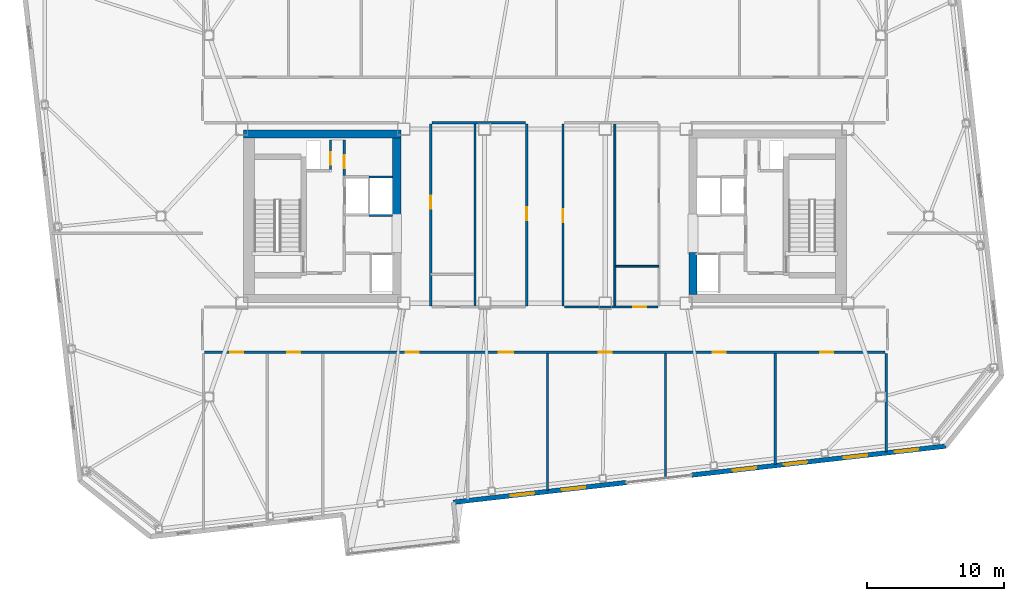
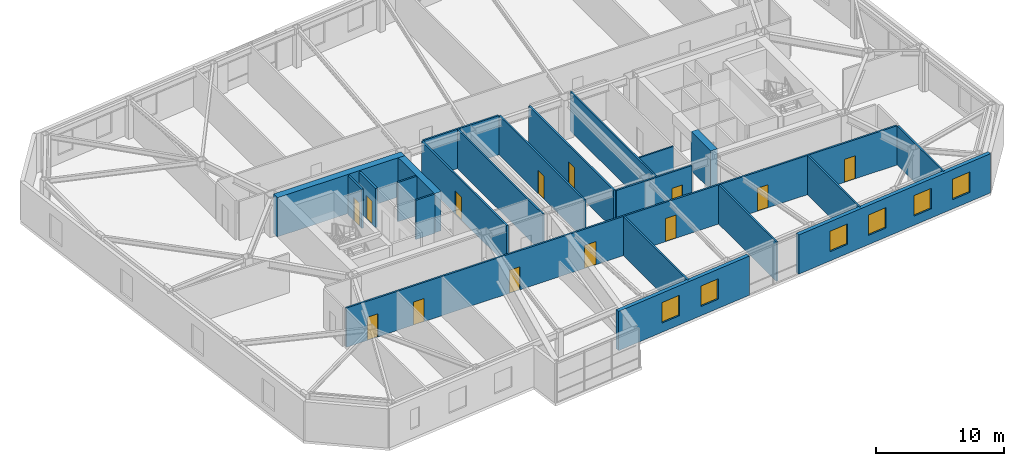
# One storey, part 14 of 19: 22 walls, 13 doors, 6 windows, 19 openings.
"""IFC4 building model written with IfcOpenShell, lengths in metres."""

import ifcopenshell
import ifcopenshell.guid

model = None  # the IFC model being written
_history = None  # IfcOwnerHistory: only IFC2X3 demands one
_inside = {}  # id of a spatial element -> (the spatial element, [elements in it])
_under = {}  # id of a project, library or spatial element -> (it, [spatial elements below it])
_declared = {}  # id of a project -> (the project, [libraries it declares])
_typed = {}  # id of a type object -> (the type object, [elements of that type])
_made_of = {}  # id of a material, layer set ... -> (it, [elements and type objects made of it])


def new_model(schema):
    """Start an empty IFC model of exactly this schema.

    Asked for "IFC4X3", IfcOpenShell would pick the latest addendum, in which some entities
    have other attributes; the version numbers below select the first issue.
    IFC2X3 requires an IfcOwnerHistory on every rooted entity: one is made here for all.
    """
    global model, _history
    if schema == "IFC4X3":
        model = ifcopenshell.file(schema_version=(4, 3, 0, 0))
    else:
        model = ifcopenshell.file(schema=schema)
    _inside.clear()
    _under.clear()
    _declared.clear()
    _typed.clear()
    _made_of.clear()
    _history = None
    if model.schema == "IFC2X3":
        org = make("IfcOrganization", Name="unknown")
        user = make(
            "IfcPersonAndOrganization",
            ThePerson=make("IfcPerson", FamilyName="unknown"),
            TheOrganization=org,
        )
        app = make(
            "IfcApplication",
            ApplicationDeveloper=org,
            Version="unknown",
            ApplicationFullName="unknown",
            ApplicationIdentifier="unknown",
        )
        _history = make(
            "IfcOwnerHistory",
            OwningUser=user,
            OwningApplication=app,
            ChangeAction="ADDED",
            CreationDate=0,
        )
    return model


def make(cls, **values):
    """One entity of the class cls with the attributes given. An attribute that is None is left unset."""
    return model.create_entity(
        cls, **{name: value for name, value in values.items() if value is not None}
    )


def rooted(cls, **values):
    """An entity with a GlobalId (a new one), such as an element, a storey or a relation."""
    return make(cls, GlobalId=ifcopenshell.guid.new(), OwnerHistory=_history, **values)


def si_unit(unit_type, name, prefix=None):
    """IfcSIUnit, for example si_unit("LENGTHUNIT", "METRE", prefix="MILLI")."""
    return make("IfcSIUnit", UnitType=unit_type, Prefix=prefix, Name=name)


def assignment(units):
    """IfcUnitAssignment: the units of a project."""
    return None if units is None else make("IfcUnitAssignment", Units=units)


def point(xyz):
    """IfcCartesianPoint."""
    return None if xyz is None else make("IfcCartesianPoint", Coordinates=xyz)


def direction(xyz):
    """IfcDirection."""
    return None if xyz is None else make("IfcDirection", DirectionRatios=xyz)


def frame(location, z_axis=None, x_axis=None):
    """IfcAxis2Placement3D, a coordinate frame: its origin and axes. An axis left out is left unset."""
    return make(
        "IfcAxis2Placement3D",
        Location=point(location),
        Axis=direction(z_axis),
        RefDirection=direction(x_axis),
    )


def frame_2d(location, x_axis=None):
    """IfcAxis2Placement2D, a coordinate frame in the plane: its origin and x axis."""
    return make(
        "IfcAxis2Placement2D", Location=point(location), RefDirection=direction(x_axis)
    )


def origin():
    """The frame at (0, 0, 0) with its axes left unset."""
    return frame((0.0, 0.0, 0.0))


def place(relative_to, where):
    """IfcLocalPlacement: puts the frame where relative to a parent placement (None: the world)."""
    return make(
        "IfcLocalPlacement", PlacementRelTo=relative_to, RelativePlacement=where
    )


def context(
    kind, dimensions, precision=None, world=None, true_north=None, identifier=None
):
    """IfcGeometricRepresentationContext, for example the 3D "Model" context."""
    return make(
        "IfcGeometricRepresentationContext",
        ContextIdentifier=identifier,
        ContextType=kind,
        CoordinateSpaceDimension=dimensions,
        Precision=precision,
        WorldCoordinateSystem=world,
        TrueNorth=true_north,
    )


def subcontext(parent, identifier, kind, view, scale=None):
    """IfcGeometricRepresentationSubContext, for example "Body" below "Model"."""
    return make(
        "IfcGeometricRepresentationSubContext",
        ContextIdentifier=identifier,
        ContextType=kind,
        ParentContext=parent,
        TargetScale=scale,
        TargetView=view,
    )


def project(units=None, contexts=None):
    """IfcProject with its units and contexts."""
    return rooted(
        "IfcProject",
        Name="project",
        RepresentationContexts=contexts,
        UnitsInContext=assignment(units),
    )


def spatial(cls, under=None, at=None, **own):
    """A site, building, storey or space (cls), placed at a placement, below another one or the project."""
    s = rooted(cls, ObjectPlacement=at, **own)
    if under is not None:
        _under.setdefault(under.id(), (under, []))[1].append(s)
    return s


def profile(cls, at=None, kind="AREA", **sizes):
    """A parametric profile (cls). Its sizes go by their IFC names, for example OverallWidth=200.0."""
    return make(cls, ProfileType=kind, Position=at, **sizes)


def rectangle(**sizes):
    """IfcRectangleProfileDef."""
    return profile("IfcRectangleProfileDef", **sizes)


def extrude(swept, where, along, depth):
    """IfcExtrudedAreaSolid: the profile swept, set in the frame where, extruded along a direction by depth."""
    return make(
        "IfcExtrudedAreaSolid",
        SweptArea=swept,
        Position=where,
        ExtrudedDirection=direction(along),
        Depth=depth,
    )


def shape(context_of_items, identifier, shape_type, items):
    """IfcShapeRepresentation: the items that make up one representation, for example the "Body"."""
    return make(
        "IfcShapeRepresentation",
        ContextOfItems=context_of_items,
        RepresentationIdentifier=identifier,
        RepresentationType=shape_type,
        Items=items,
    )


def material(Name=None, Category=None):
    """IfcMaterial."""
    return make("IfcMaterial", Name=Name, Category=Category)


def layer(
    of_material, thickness, ventilated=None, Name=None, Category=None, Priority=None
):
    """IfcMaterialLayer: one layer of a wall or slab, of a material (None: an air gap)."""
    return make(
        "IfcMaterialLayer",
        Material=of_material,
        LayerThickness=thickness,
        IsVentilated=ventilated,
        Name=Name,
        Category=Category,
        Priority=Priority,
    )


def layer_set(layers, Name=None):
    """IfcMaterialLayerSet."""
    return make("IfcMaterialLayerSet", MaterialLayers=layers, LayerSetName=Name)


def made_of(thing, what):
    """Note that an element or type object is made of a material, layer set ...; save() writes the relation."""
    if what is not None:
        _made_of.setdefault(what.id(), (what, []))[1].append(thing)
    return thing


def type_object(cls, material=None, **own):
    """A type object (cls), such as IfcWallType, which elements share."""
    return made_of(rooted(cls, **own), material)


def element(
    cls,
    number,
    at=None,
    inside=None,
    cuts=None,
    type_object=None,
    material=None,
    context=None,
    identifier="Body",
    shape_type=None,
    held_by="IfcProductDefinitionShape",
    body=None,
    shapes=None,
    **own,
):
    """One element of the class cls, such as IfcWall. Its Tag is "e" and its number.

    at: its placement. inside: the storey or other place that contains it. cuts: it is an
    opening in that element (IfcRelVoidsElement). A single representation is given by context,
    identifier, shape_type and body (its items); several are given by shapes. held_by: the class
    of the entity that holds the representations. save() writes the other relations.
    """
    e = rooted(cls, Tag="e%d" % number, ObjectPlacement=at, **own)
    if body is not None:
        shapes = [shape(context, identifier, shape_type, body)]
    if shapes is not None:
        e.Representation = make(held_by, Representations=shapes)
    if inside is not None:
        _inside.setdefault(inside.id(), (inside, []))[1].append(e)
    if cuts is not None:
        rooted(
            "IfcRelVoidsElement", RelatingBuildingElement=cuts, RelatedOpeningElement=e
        )
    if type_object is not None:
        _typed.setdefault(type_object.id(), (type_object, []))[1].append(e)
    return made_of(e, material)


def fill(opening, filler):
    """IfcRelFillsElement: the door or window that sits in an opening."""
    return rooted(
        "IfcRelFillsElement",
        RelatingOpeningElement=opening,
        RelatedBuildingElement=filler,
    )


def aggregate(whole, parts):
    """IfcRelAggregates: a whole, such as a stair, and the parts it consists of."""
    return rooted("IfcRelAggregates", RelatingObject=whole, RelatedObjects=parts)


def save(model, path):
    """Write the relations noted so far, then the file.

    IfcRelAggregates (storeys below a building ...), IfcRelContainedInSpatialStructure (elements
    in a storey), IfcRelDefinesByType, IfcRelAssociatesMaterial and IfcRelDeclares: one each for
    every whole, place, type object, material and project.
    """
    for whole, parts in _under.values():
        aggregate(whole, parts)
    for where, things in _inside.values():
        rooted(
            "IfcRelContainedInSpatialStructure",
            RelatedElements=things,
            RelatingStructure=where,
        )
    for kind, things in _typed.values():
        rooted("IfcRelDefinesByType", RelatedObjects=things, RelatingType=kind)
    for what, things in _made_of.values():
        rooted("IfcRelAssociatesMaterial", RelatedObjects=things, RelatingMaterial=what)
    for by, libraries in _declared.values():
        rooted("IfcRelDeclares", RelatingContext=by, RelatedDefinitions=libraries)
    model.write(path)


model = new_model("IFC4")

# Units and contexts
model_context = context("Model", 3, precision=1e-05, world=origin(), true_north=direction((0.0, 1.0)))
body_context = subcontext(model_context, "Body", "Model", "MODEL_VIEW")
ifc_project = project(units=[si_unit("LENGTHUNIT", "METRE"), si_unit("AREAUNIT", "SQUARE_METRE"), si_unit("VOLUMEUNIT", "CUBIC_METRE"), si_unit("PLANEANGLEUNIT", "RADIAN"), si_unit("MASSUNIT", "GRAM", prefix="KILO")], contexts=[model_context])

# Site, building, storey
site_placement = place(None, origin())
site = spatial("IfcSite", under=ifc_project, at=site_placement, CompositionType="ELEMENT")
building_placement = place(site_placement, origin())
building = spatial("IfcBuilding", under=site, at=building_placement, Name="Tavrogorsk Clinical Tower", CompositionType="ELEMENT")
storey_placement = place(building_placement, frame((0.0, 0.0, 218.199951171875)))
storey = spatial("IfcBuildingStorey", under=building, at=storey_placement, Name="L50", CompositionType="ELEMENT", Elevation=218.199951171875)

# Wall, opening, door
ifc_material_1 = material(Name="Concrete B60", Category="concrete")
ifc_layer_1 = layer(ifc_material_1, 0.199951171875)
ifc_layer_set_1 = layer_set([ifc_layer_1], Name="Concrete B60")
wall_type_1 = type_object("IfcWallType", Name="CoreFireWall_200", PredefinedType="SOLIDWALL", material=ifc_layer_set_1)
wall_1_placement = place(storey_placement, frame((-14.639892578125, 2.9599609375, 0.0), z_axis=(0.0, 0.0, 1.0), x_axis=(0.0, 1.0, 0.0)))
wall_1 = element("IfcWall", 1, at=wall_1_placement, inside=storey, type_object=wall_type_1, Name="L50 Core West North Core Room East Wall", PredefinedType="SOLIDWALL", context=body_context, shape_type="SweptSolid", body=[
    extrude(rectangle(XDim=2.60009765625, YDim=0.199951171875, at=frame_2d((1.300048828125, 0.0))), origin(), (0.0, 0.0, 1.0), 3.739990234375),
])
opening_1_placement = place(wall_1_placement, frame((0.52001953125, 0.0, 0.0)))
opening_1 = element("IfcOpeningElement", 2, at=opening_1_placement, cuts=wall_1, Name="Opening ID-02", PredefinedType="OPENING", context=body_context, shape_type="SweptSolid", body=[
    extrude(rectangle(XDim=0.949951171875, YDim=2.199951171875, at=frame_2d((0.47509765625, 1.10009765625))), frame((0.0, 0.10986328125, 0.0), z_axis=(0.0, -1.0, 0.0), x_axis=(1.0, 0.0, 0.0)), (0.0, 0.0, 1.0), 0.219970703125),
])
ifc_material_2 = material(Name="Laminated timber leaf on aluminium frame", Category="wood")
door_type_1 = type_object("IfcDoorType", Name="InteriorDoor_ID02_950", OperationType="NOTDEFINED", PredefinedType="DOOR", material=ifc_material_2)
door_1_placement = place(opening_1_placement, origin())
door_1 = element("IfcDoor", 3, at=door_1_placement, inside=storey, type_object=door_type_1, Name="L50 Core West Core Telemetry Room Door", OperationType="SINGLE_SWING_LEFT", OverallHeight=2.199951171875, OverallWidth=0.949951171875, PredefinedType="DOOR", context=body_context, shape_type="SweptSolid", body=[
    extrude(rectangle(XDim=0.949951171875, YDim=2.199951171875, at=frame_2d((0.47509765625, 1.10009765625))), frame((0.0, 0.02490234375, 0.0), z_axis=(0.0, -1.0, 0.0), x_axis=(1.0, 0.0, 0.0)), (0.0, 0.0, 1.0), 0.050048828125),
])
fill(opening_1, door_1)

# Walls
ifc_material_3 = material(Name="Lightweight concrete blockwork B15", Category="masonry")
ifc_layer_2 = layer(ifc_material_3, 0.139892578125)
ifc_layer_set_2 = layer_set([ifc_layer_2], Name="Lightweight concrete blockwork B15")
wall_type_2 = type_object("IfcWallType", Name="PartitionWall_140", PredefinedType="PARTITIONING", material=ifc_layer_set_2)
for number, where, z_axis, x_axis, name in (
    (4, (-5.10009765625, -6.614990234375, 0.0), (0.0, 0.0, 1.0), (0.0, 1.0, 0.0), "L50 Central Spine Partition 1"),
    (5, (5.10009765625, -6.614990234375, 0.0), (0.0, 0.0, 1.0), (0.0, 1.0, 0.0), "L50 Central Spine Partition 2"),
):
    element("IfcWall", number, at=place(storey_placement, frame(where, z_axis=z_axis, x_axis=x_axis)), inside=storey, type_object=wall_type_2, Name=name, PredefinedType="PARTITIONING", context=body_context, shape_type="SweptSolid", body=[
        extrude(rectangle(XDim=13.429931640625, YDim=0.139892578125, at=frame_2d((6.71484375, 0.0))), origin(), (0.0, 0.0, 1.0), 3.739990234375),
    ])
wall_2_placement = place(storey_placement, frame((5.175048828125, -3.64990234375, 0.0), z_axis=(0.0, 0.0, 1.0), x_axis=(1.0, 0.0, 0.0)))
element("IfcWall", 6, at=wall_2_placement, inside=storey, type_object=wall_type_2, Name="L50 Central Spine Partition 4", PredefinedType="PARTITIONING", context=body_context, shape_type="SweptSolid", body=[
    extrude(rectangle(XDim=3.139892578125, YDim=0.139892578125, at=frame_2d((1.56982421875, 0.0))), origin(), (0.0, 0.0, 1.0), 3.739990234375),
])

# Wall, openings, doors
ifc_material_4 = material(Name="Lightweight concrete blockwork B15", Category="masonry")
ifc_layer_3 = layer(ifc_material_4, 0.159912109375)
ifc_layer_set_3 = layer_set([ifc_layer_3], Name="Lightweight concrete blockwork B15")
wall_type_3 = type_object("IfcWallType", Name="PartitionWall_160", PredefinedType="PARTITIONING", material=ifc_layer_set_3)
wall_3_placement = place(storey_placement, frame((24.81494140625, -9.929931640625, 0.0), z_axis=(0.0, 0.0, 1.0), x_axis=(-1.0, 0.0, 0.0)))
wall_3 = element("IfcWall", 7, at=wall_3_placement, inside=storey, type_object=wall_type_3, Name="L50 Corridor Partition 10", PredefinedType="PARTITIONING", context=body_context, shape_type="SweptSolid", body=[
    extrude(rectangle(XDim=49.6298828125, YDim=0.159912109375, at=frame_2d((24.81494140625, 0.0))), origin(), (0.0, 0.0, 1.0), 3.739990234375),
])
opening_2_placement = place(wall_3_placement, frame((46.805908203125, 0.0, 0.0)))
opening_2 = element("IfcOpeningElement", 8, at=opening_2_placement, cuts=wall_3, Name="Opening ID-02", PredefinedType="OPENING", context=body_context, shape_type="SweptSolid", body=[
    extrude(rectangle(XDim=0.949951171875, YDim=2.199951171875, at=frame_2d((0.47509765625, 1.10009765625))), frame((0.0, 0.08984375, 0.0), z_axis=(0.0, -1.0, 0.0), x_axis=(1.0, 0.0, 0.0)), (0.0, 0.0, 1.0), 0.179931640625),
])
opening_3_placement = place(wall_3_placement, frame((42.64990234375, 0.0, 0.0)))
opening_3 = element("IfcOpeningElement", 9, at=opening_3_placement, cuts=wall_3, Name="Opening ID-02", PredefinedType="OPENING", context=body_context, shape_type="SweptSolid", body=[
    extrude(rectangle(XDim=0.949951171875, YDim=2.199951171875, at=frame_2d((0.47509765625, 1.10009765625))), frame((0.0, 0.08984375, 0.0), z_axis=(0.0, -1.0, 0.0), x_axis=(1.0, 0.0, 0.0)), (0.0, 0.0, 1.0), 0.179931640625),
])
opening_4_placement = place(wall_3_placement, frame((34.02001953125, 0.0, 0.0)))
opening_4 = element("IfcOpeningElement", 10, at=opening_4_placement, cuts=wall_3, Name="Opening ID-02", PredefinedType="OPENING", context=body_context, shape_type="SweptSolid", body=[
    extrude(rectangle(XDim=0.949951171875, YDim=2.199951171875, at=frame_2d((0.47509765625, 1.10009765625))), frame((0.0, 0.08984375, 0.0), z_axis=(0.0, -1.0, 0.0), x_axis=(1.0, 0.0, 0.0)), (0.0, 0.0, 1.0), 0.179931640625),
])
opening_5_placement = place(wall_3_placement, frame((27.139892578125, 0.0, 0.0)))
opening_5 = element("IfcOpeningElement", 11, at=opening_5_placement, cuts=wall_3, Name="Opening ID-04", PredefinedType="OPENING", context=body_context, shape_type="SweptSolid", body=[
    extrude(rectangle(XDim=1.050048828125, YDim=2.199951171875, at=frame_2d((0.52490234375, 1.10009765625))), frame((0.0, 0.08984375, 0.0), z_axis=(0.0, -1.0, 0.0), x_axis=(1.0, 0.0, 0.0)), (0.0, 0.0, 1.0), 0.179931640625),
])
opening_6_placement = place(wall_3_placement, frame((19.925048828125, 0.0, 0.0)))
opening_6 = element("IfcOpeningElement", 12, at=opening_6_placement, cuts=wall_3, Name="Opening ID-02", PredefinedType="OPENING", context=body_context, shape_type="SweptSolid", body=[
    extrude(rectangle(XDim=0.949951171875, YDim=2.199951171875, at=frame_2d((0.47509765625, 1.10009765625))), frame((0.0, 0.08984375, 0.0), z_axis=(0.0, -1.0, 0.0), x_axis=(1.0, 0.0, 0.0)), (0.0, 0.0, 1.0), 0.179931640625),
])
opening_7_placement = place(wall_3_placement, frame((11.625, 0.0, 0.0)))
opening_7 = element("IfcOpeningElement", 13, at=opening_7_placement, cuts=wall_3, Name="Opening ID-02", PredefinedType="OPENING", context=body_context, shape_type="SweptSolid", body=[
    extrude(rectangle(XDim=0.949951171875, YDim=2.199951171875, at=frame_2d((0.47509765625, 1.10009765625))), frame((0.0, 0.08984375, 0.0), z_axis=(0.0, -1.0, 0.0), x_axis=(1.0, 0.0, 0.0)), (0.0, 0.0, 1.0), 0.179931640625),
])
opening_8_placement = place(wall_3_placement, frame((3.76904296875, 0.0, 0.0)))
opening_8 = element("IfcOpeningElement", 14, at=opening_8_placement, cuts=wall_3, Name="Opening ID-02", PredefinedType="OPENING", context=body_context, shape_type="SweptSolid", body=[
    extrude(rectangle(XDim=0.949951171875, YDim=2.199951171875, at=frame_2d((0.47509765625, 1.10009765625))), frame((0.0, 0.08984375, 0.0), z_axis=(0.0, -1.0, 0.0), x_axis=(1.0, 0.0, 0.0)), (0.0, 0.0, 1.0), 0.179931640625),
])
ifc_material_5 = material(Name="Antibacterial HPL consultation door on aluminium frame", Category="aluminium")
door_type_2 = type_object("IfcDoorType", Name="ConsultDoor_ID04_1050", OperationType="NOTDEFINED", PredefinedType="DOOR", material=ifc_material_5)
door_2_placement = place(opening_5_placement, origin())
door_2 = element("IfcDoor", 15, at=door_2_placement, inside=storey, type_object=door_type_2, Name="L50 South Nephrology Consultation Office 04 Door", OperationType="SINGLE_SWING_RIGHT", OverallHeight=2.199951171875, OverallWidth=1.050048828125, PredefinedType="DOOR", context=body_context, shape_type="SweptSolid", body=[
    extrude(rectangle(XDim=1.050048828125, YDim=2.199951171875, at=frame_2d((0.52490234375, 1.10009765625))), frame((0.0, 0.02490234375, 0.0), z_axis=(0.0, -1.0, 0.0), x_axis=(1.0, 0.0, 0.0)), (0.0, 0.0, 1.0), 0.050048828125),
])
fill(opening_5, door_2)
door_3_placement = place(opening_2_placement, origin())
door_3 = element("IfcDoor", 16, at=door_3_placement, inside=storey, type_object=door_type_1, Name="L50 South Dialysis Dialysate Storage Room 01 Door", OperationType="SINGLE_SWING_LEFT", OverallHeight=2.199951171875, OverallWidth=0.949951171875, PredefinedType="DOOR", context=body_context, shape_type="SweptSolid", body=[
    extrude(rectangle(XDim=0.949951171875, YDim=2.199951171875, at=frame_2d((0.47509765625, 1.10009765625))), frame((0.0, 0.02490234375, 0.0), z_axis=(0.0, -1.0, 0.0), x_axis=(1.0, 0.0, 0.0)), (0.0, 0.0, 1.0), 0.050048828125),
])
fill(opening_2, door_3)
door_4_placement = place(opening_3_placement, origin())
door_4 = element("IfcDoor", 17, at=door_4_placement, inside=storey, type_object=door_type_1, Name="L50 South Nephrology Consultation Office 02 Door", OperationType="SINGLE_SWING_RIGHT", OverallHeight=2.199951171875, OverallWidth=0.949951171875, PredefinedType="DOOR", context=body_context, shape_type="SweptSolid", body=[
    extrude(rectangle(XDim=0.949951171875, YDim=2.199951171875, at=frame_2d((0.47509765625, 1.10009765625))), frame((0.0, 0.02490234375, 0.0), z_axis=(0.0, -1.0, 0.0), x_axis=(1.0, 0.0, 0.0)), (0.0, 0.0, 1.0), 0.050048828125),
])
fill(opening_3, door_4)
door_5_placement = place(opening_4_placement, origin())
door_5 = element("IfcDoor", 18, at=door_5_placement, inside=storey, type_object=door_type_1, Name="L50 South Dialysis Dialysate Storage Room 03 Door", OperationType="SINGLE_SWING_LEFT", OverallHeight=2.199951171875, OverallWidth=0.949951171875, PredefinedType="DOOR", context=body_context, shape_type="SweptSolid", body=[
    extrude(rectangle(XDim=0.949951171875, YDim=2.199951171875, at=frame_2d((0.47509765625, 1.10009765625))), frame((0.0, 0.02490234375, 0.0), z_axis=(0.0, -1.0, 0.0), x_axis=(1.0, 0.0, 0.0)), (0.0, 0.0, 1.0), 0.050048828125),
])
fill(opening_4, door_5)
door_6_placement = place(opening_6_placement, origin())
door_6 = element("IfcDoor", 19, at=door_6_placement, inside=storey, type_object=door_type_1, Name="L50 South Dialysis Dialysate Storage Room 05 Door", OperationType="SINGLE_SWING_LEFT", OverallHeight=2.199951171875, OverallWidth=0.949951171875, PredefinedType="DOOR", context=body_context, shape_type="SweptSolid", body=[
    extrude(rectangle(XDim=0.949951171875, YDim=2.199951171875, at=frame_2d((0.47509765625, 1.10009765625))), frame((0.0, 0.02490234375, 0.0), z_axis=(0.0, -1.0, 0.0), x_axis=(1.0, 0.0, 0.0)), (0.0, 0.0, 1.0), 0.050048828125),
])
fill(opening_6, door_6)
door_7_placement = place(opening_7_placement, origin())
door_7 = element("IfcDoor", 20, at=door_7_placement, inside=storey, type_object=door_type_1, Name="L50 South Nephrology Consultation Office 06 Door", OperationType="SINGLE_SWING_RIGHT", OverallHeight=2.199951171875, OverallWidth=0.949951171875, PredefinedType="DOOR", context=body_context, shape_type="SweptSolid", body=[
    extrude(rectangle(XDim=0.949951171875, YDim=2.199951171875, at=frame_2d((0.47509765625, 1.10009765625))), frame((0.0, 0.02490234375, 0.0), z_axis=(0.0, -1.0, 0.0), x_axis=(1.0, 0.0, 0.0)), (0.0, 0.0, 1.0), 0.050048828125),
])
fill(opening_7, door_7)
door_8_placement = place(opening_8_placement, origin())
door_8 = element("IfcDoor", 21, at=door_8_placement, inside=storey, type_object=door_type_1, Name="L50 South Dialysis Dialysate Storage Room 07 Door", OperationType="SINGLE_SWING_LEFT", OverallHeight=2.199951171875, OverallWidth=0.949951171875, PredefinedType="DOOR", context=body_context, shape_type="SweptSolid", body=[
    extrude(rectangle(XDim=0.949951171875, YDim=2.199951171875, at=frame_2d((0.47509765625, 1.10009765625))), frame((0.0, 0.02490234375, 0.0), z_axis=(0.0, -1.0, 0.0), x_axis=(1.0, 0.0, 0.0)), (0.0, 0.0, 1.0), 0.050048828125),
])
fill(opening_8, door_8)

# Wall, opening, door
wall_4_placement = place(storey_placement, frame((1.330078125, 6.735107421875, 0.0), z_axis=(0.0, 0.0, 1.0), x_axis=(0.0, -1.0, 0.0)))
wall_4 = element("IfcWall", 22, at=wall_4_placement, inside=storey, type_object=wall_type_3, Name="L50 Corridor Partition 12", PredefinedType="PARTITIONING", context=body_context, shape_type="SweptSolid", body=[
    extrude(rectangle(XDim=13.27001953125, YDim=0.159912109375, at=frame_2d((6.635009765625, 0.0))), origin(), (0.0, 0.0, 1.0), 3.739990234375),
])
opening_9_placement = place(wall_4_placement, frame((6.2451171875, 0.0, 0.0)))
opening_9 = element("IfcOpeningElement", 23, at=opening_9_placement, cuts=wall_4, Name="Opening ID-02", PredefinedType="OPENING", context=body_context, shape_type="SweptSolid", body=[
    extrude(rectangle(XDim=0.949951171875, YDim=2.199951171875, at=frame_2d((0.47509765625, 1.10009765625))), frame((0.0, 0.08984375, 0.0), z_axis=(0.0, -1.0, 0.0), x_axis=(1.0, 0.0, 0.0)), (0.0, 0.0, 1.0), 0.179931640625),
])
door_9_placement = place(opening_9_placement, origin())
door_9 = element("IfcDoor", 24, at=door_9_placement, inside=storey, type_object=door_type_1, Name="L50 Clean Medication Preparation Room Door", OperationType="SINGLE_SWING_LEFT", OverallHeight=2.199951171875, OverallWidth=0.949951171875, PredefinedType="DOOR", context=body_context, shape_type="SweptSolid", body=[
    extrude(rectangle(XDim=0.949951171875, YDim=2.199951171875, at=frame_2d((0.47509765625, 1.10009765625))), frame((0.0, 0.02490234375, 0.0), z_axis=(0.0, -1.0, 0.0), x_axis=(1.0, 0.0, 0.0)), (0.0, 0.0, 1.0), 0.050048828125),
])
fill(opening_9, door_9)

wall_5_placement = place(storey_placement, frame((1.4150390625, -6.6201171875, 0.0), z_axis=(0.0, 0.0, 1.0), x_axis=(1.0, 0.0, 0.0)))
wall_5 = element("IfcWall", 25, at=wall_5_placement, inside=storey, type_object=wall_type_3, Name="L50 Corridor Partition 13", PredefinedType="PARTITIONING", context=body_context, shape_type="SweptSolid", body=[
    extrude(rectangle(XDim=6.820068359375, YDim=0.159912109375, at=frame_2d((3.41015625, 0.0))), origin(), (0.0, 0.0, 1.0), 3.739990234375),
])
opening_10_placement = place(wall_5_placement, frame((5.010986328125, 0.0, 0.0)))
opening_10 = element("IfcOpeningElement", 26, at=opening_10_placement, cuts=wall_5, Name="Opening ID-02", PredefinedType="OPENING", context=body_context, shape_type="SweptSolid", body=[
    extrude(rectangle(XDim=0.949951171875, YDim=2.199951171875, at=frame_2d((0.47509765625, 1.10009765625))), frame((0.0, 0.08984375, 0.0), z_axis=(0.0, -1.0, 0.0), x_axis=(1.0, 0.0, 0.0)), (0.0, 0.0, 1.0), 0.179931640625),
])
door_10_placement = place(opening_10_placement, origin())
door_10 = element("IfcDoor", 27, at=door_10_placement, inside=storey, type_object=door_type_1, Name="L50 Staff & Visitor Accessible WC Door", OperationType="SINGLE_SWING_RIGHT", OverallHeight=2.199951171875, OverallWidth=0.949951171875, PredefinedType="DOOR", context=body_context, shape_type="SweptSolid", body=[
    extrude(rectangle(XDim=0.949951171875, YDim=2.199951171875, at=frame_2d((0.47509765625, 1.10009765625))), frame((0.0, 0.02490234375, 0.0), z_axis=(0.0, -1.0, 0.0), x_axis=(1.0, 0.0, 0.0)), (0.0, 0.0, 1.0), 0.050048828125),
])
fill(opening_10, door_10)

wall_6_placement = place(storey_placement, frame((-1.330078125, -6.534912109375, 0.0), z_axis=(0.0, 0.0, 1.0), x_axis=(0.0, 1.0, 0.0)))
wall_6 = element("IfcWall", 28, at=wall_6_placement, inside=storey, type_object=wall_type_3, Name="L50 Corridor Partition 15", PredefinedType="PARTITIONING", context=body_context, shape_type="SweptSolid", body=[
    extrude(rectangle(XDim=13.27001953125, YDim=0.159912109375, at=frame_2d((6.635009765625, 0.0))), origin(), (0.0, 0.0, 1.0), 3.739990234375),
])
opening_11_placement = place(wall_6_placement, frame((6.2451171875, 0.0, 0.0)))
opening_11 = element("IfcOpeningElement", 29, at=opening_11_placement, cuts=wall_6, Name="Opening ID-02", PredefinedType="OPENING", context=body_context, shape_type="SweptSolid", body=[
    extrude(rectangle(XDim=0.949951171875, YDim=2.199951171875, at=frame_2d((0.47509765625, 1.10009765625))), frame((0.0, 0.08984375, 0.0), z_axis=(0.0, -1.0, 0.0), x_axis=(1.0, 0.0, 0.0)), (0.0, 0.0, 1.0), 0.179931640625),
])
door_11_placement = place(opening_11_placement, origin())
door_11 = element("IfcDoor", 30, at=door_11_placement, inside=storey, type_object=door_type_1, Name="L50 Nurses' Station & Telemetry Hub Door", OperationType="SINGLE_SWING_RIGHT", OverallHeight=2.199951171875, OverallWidth=0.949951171875, PredefinedType="DOOR", context=body_context, shape_type="SweptSolid", body=[
    extrude(rectangle(XDim=0.949951171875, YDim=2.199951171875, at=frame_2d((0.47509765625, 1.10009765625))), frame((0.0, 0.02490234375, 0.0), z_axis=(0.0, -1.0, 0.0), x_axis=(1.0, 0.0, 0.0)), (0.0, 0.0, 1.0), 0.050048828125),
])
fill(opening_11, door_11)

# Wall
wall_7_placement = place(storey_placement, frame((-1.4150390625, 6.820068359375, 0.0), z_axis=(0.0, 0.0, 1.0), x_axis=(-1.0, 0.0, 0.0)))
element("IfcWall", 31, at=wall_7_placement, inside=storey, type_object=wall_type_3, Name="L50 Corridor Partition 16", PredefinedType="PARTITIONING", context=body_context, shape_type="SweptSolid", body=[
    extrude(rectangle(XDim=6.820068359375, YDim=0.159912109375, at=frame_2d((3.41015625, 0.0))), origin(), (0.0, 0.0, 1.0), 3.739990234375),
])

# Wall, opening, door
wall_8_placement = place(storey_placement, frame((-8.320068359375, 6.735107421875, 0.0), z_axis=(0.0, 0.0, 1.0), x_axis=(0.0, -1.0, 0.0)))
wall_8 = element("IfcWall", 32, at=wall_8_placement, inside=storey, type_object=wall_type_3, Name="L50 Corridor Partition 17", PredefinedType="PARTITIONING", context=body_context, shape_type="SweptSolid", body=[
    extrude(rectangle(XDim=13.27001953125, YDim=0.159912109375, at=frame_2d((6.635009765625, 0.0))), origin(), (0.0, 0.0, 1.0), 3.739990234375),
])
opening_12_placement = place(wall_8_placement, frame((5.254150390625, 0.0, 0.0)))
opening_12 = element("IfcOpeningElement", 33, at=opening_12_placement, cuts=wall_8, Name="Opening ID-02", PredefinedType="OPENING", context=body_context, shape_type="SweptSolid", body=[
    extrude(rectangle(XDim=0.949951171875, YDim=2.199951171875, at=frame_2d((0.47509765625, 1.10009765625))), frame((0.0, 0.08984375, 0.0), z_axis=(0.0, -1.0, 0.0), x_axis=(1.0, 0.0, 0.0)), (0.0, 0.0, 1.0), 0.179931640625),
])
door_12_placement = place(opening_12_placement, origin())
door_12 = element("IfcDoor", 34, at=door_12_placement, inside=storey, type_object=door_type_1, Name="L50 Ward Nourishment Pantry Door", OperationType="SINGLE_SWING_LEFT", OverallHeight=2.199951171875, OverallWidth=0.949951171875, PredefinedType="DOOR", context=body_context, shape_type="SweptSolid", body=[
    extrude(rectangle(XDim=0.949951171875, YDim=2.199951171875, at=frame_2d((0.47509765625, 1.10009765625))), frame((0.0, 0.02490234375, 0.0), z_axis=(0.0, -1.0, 0.0), x_axis=(1.0, 0.0, 0.0)), (0.0, 0.0, 1.0), 0.050048828125),
])
fill(opening_12, door_12)

# Walls
wall_9_placement = place(storey_placement, frame((24.89990234375, -17.199462890625, 0.0), z_axis=(0.0, 0.0, 1.0), x_axis=(0.0, 1.0, 0.0)))
element("IfcWall", 35, at=wall_9_placement, inside=storey, type_object=wall_type_3, Name="L50 SE Wing Closure Partition", PredefinedType="PARTITIONING", context=body_context, shape_type="SweptSolid", body=[
    extrude(rectangle(XDim=7.1845703125, YDim=0.159912109375, at=frame_2d((3.59228515625, 0.0))), origin(), (0.0, 0.0, 1.0), 3.739990234375),
])
wall_10_placement = place(storey_placement, frame((0.199951171875, -20.013671875, 0.0), z_axis=(0.0, 0.0, 1.0), x_axis=(0.0, 1.0, 0.0)))
element("IfcWall", 36, at=wall_10_placement, inside=storey, type_object=wall_type_3, Name="L50 South Room Partition 4", PredefinedType="PARTITIONING", context=body_context, shape_type="SweptSolid", body=[
    extrude(rectangle(XDim=9.998779296875, YDim=0.159912109375, at=frame_2d((4.99951171875, 0.0))), origin(), (0.0, 0.0, 1.0), 3.739990234375),
])
wall_11_placement = place(storey_placement, frame((8.800048828125, -19.03369140625, 0.0), z_axis=(0.0, 0.0, 1.0), x_axis=(0.0, 1.0, 0.0)))
element("IfcWall", 37, at=wall_11_placement, inside=storey, type_object=wall_type_3, Name="L50 South Room Partition 5", PredefinedType="PARTITIONING", context=body_context, shape_type="SweptSolid", body=[
    extrude(rectangle(XDim=9.018798828125, YDim=0.159912109375, at=frame_2d((4.50927734375, 0.0))), origin(), (0.0, 0.0, 1.0), 3.739990234375),
])
wall_12_placement = place(storey_placement, frame((16.800048828125, -18.122314453125, 0.0), z_axis=(0.0, 0.0, 1.0), x_axis=(0.0, 1.0, 0.0)))
element("IfcWall", 38, at=wall_12_placement, inside=storey, type_object=wall_type_3, Name="L50 South Room Partition 6", PredefinedType="PARTITIONING", context=body_context, shape_type="SweptSolid", body=[
    extrude(rectangle(XDim=8.107421875, YDim=0.159912109375, at=frame_2d((4.0537109375, 0.0))), origin(), (0.0, 0.0, 1.0), 3.739990234375),
])

# Wall, openings, windows
ifc_material_6 = material(Name="Precast concrete B45 with limestone cladding", Category="masonry")
ifc_layer_4 = layer(ifc_material_6, 0.340087890625)
ifc_layer_set_4 = layer_set([ifc_layer_4], Name="Precast concrete B45 with limestone cladding")
wall_type_4 = type_object("IfcWallType", Name="PrecastLimestoneWall_340", PredefinedType="STANDARD", material=ifc_layer_set_4)
wall_13_placement = place(storey_placement, frame((-6.675537109375, -20.867431640625, 0.0), z_axis=(0.0, 0.0, 1.0), x_axis=(0.993572024997, 0.113201727649, 0.0)))
wall_13 = element("IfcWall", 39, at=wall_13_placement, inside=storey, type_object=wall_type_4, Name="L50 S Limestone Facade Wall 2", PredefinedType="STANDARD", context=body_context, shape_type="SweptSolid", body=[
    extrude(rectangle(XDim=12.698486328125, YDim=0.340087890625, at=frame_2d((6.34912109375, 0.0))), origin(), (0.0, 0.0, 1.0), 3.739990234375),
])
opening_13_placement = place(wall_13_placement, frame((4.225830078125, 0.0, 0.8798828125)))
opening_13 = element("IfcOpeningElement", 40, at=opening_13_placement, cuts=wall_13, Name="Opening WN-15", PredefinedType="OPENING", context=body_context, shape_type="SweptSolid", body=[
    extrude(rectangle(XDim=1.699951171875, YDim=1.949951171875, at=frame_2d((0.85009765625, 0.97509765625))), frame((0.0, 0.179931640625, 0.0), z_axis=(0.0, -1.0, 0.0), x_axis=(1.0, 0.0, 0.0)), (0.0, 0.0, 1.0), 0.360107421875),
])
opening_14_placement = place(wall_13_placement, frame((7.97412109375, 0.0, 0.8798828125)))
opening_14 = element("IfcOpeningElement", 41, at=opening_14_placement, cuts=wall_13, Name="Opening WN-15", PredefinedType="OPENING", context=body_context, shape_type="SweptSolid", body=[
    extrude(rectangle(XDim=1.699951171875, YDim=1.949951171875, at=frame_2d((0.85009765625, 0.97509765625))), frame((0.0, 0.179931640625, 0.0), z_axis=(0.0, -1.0, 0.0), x_axis=(1.0, 0.0, 0.0)), (0.0, 0.0, 1.0), 0.360107421875),
])
ifc_material_7 = material(Name="Thermally broken aluminium frame and triple IGU", Category="aluminium")
window_type = type_object("IfcWindowType", Name="OfficeChicagoWin_1700x1950", PartitioningType="SINGLE_PANEL", PredefinedType="WINDOW", material=ifc_material_7)
window_1_placement = place(opening_13_placement, origin())
window_1 = element("IfcWindow", 42, at=window_1_placement, inside=storey, type_object=window_type, Name="L50 S Chicago Window 05", OverallHeight=1.949951171875, OverallWidth=1.699951171875, PartitioningType="SINGLE_PANEL", PredefinedType="WINDOW", context=body_context, shape_type="SweptSolid", body=[
    extrude(rectangle(XDim=1.699951171875, YDim=1.949951171875, at=frame_2d((0.85009765625, 0.97509765625))), frame((0.0, 0.030029296875, 0.0), z_axis=(0.0, -1.0, 0.0), x_axis=(1.0, 0.0, 0.0)), (0.0, 0.0, 1.0), 0.06005859375),
])
fill(opening_13, window_1)
window_2_placement = place(opening_14_placement, origin())
window_2 = element("IfcWindow", 43, at=window_2_placement, inside=storey, type_object=window_type, Name="L50 S Chicago Window 06", OverallHeight=1.949951171875, OverallWidth=1.699951171875, PartitioningType="SINGLE_PANEL", PredefinedType="WINDOW", context=body_context, shape_type="SweptSolid", body=[
    extrude(rectangle(XDim=1.699951171875, YDim=1.949951171875, at=frame_2d((0.85009765625, 0.97509765625))), frame((0.0, 0.030029296875, 0.0), z_axis=(0.0, -1.0, 0.0), x_axis=(1.0, 0.0, 0.0)), (0.0, 0.0, 1.0), 0.06005859375),
])
fill(opening_14, window_2)

wall_14_placement = place(storey_placement, frame((10.71044921875, -18.886474609375, 0.0), z_axis=(0.0, 0.0, 1.0), x_axis=(0.993572271362, 0.113199565282, 0.0)))
wall_14 = element("IfcWall", 44, at=wall_14_placement, inside=storey, type_object=wall_type_4, Name="L50 S Limestone Facade Wall 3", PredefinedType="STANDARD", context=body_context, shape_type="SweptSolid", body=[
    extrude(rectangle(XDim=18.6513671875, YDim=0.340087890625, at=frame_2d((9.32568359375, 0.0))), origin(), (0.0, 0.0, 1.0), 3.739990234375),
])
opening_15_placement = place(wall_14_placement, frame((3.0244140625, 0.0, 0.8798828125)))
opening_15 = element("IfcOpeningElement", 45, at=opening_15_placement, cuts=wall_14, Name="Opening WN-15", PredefinedType="OPENING", context=body_context, shape_type="SweptSolid", body=[
    extrude(rectangle(XDim=1.699951171875, YDim=1.949951171875, at=frame_2d((0.85009765625, 0.97509765625))), frame((0.0, 0.179931640625, 0.0), z_axis=(0.0, -1.0, 0.0), x_axis=(1.0, 0.0, 0.0)), (0.0, 0.0, 1.0), 0.360107421875),
])
opening_16_placement = place(wall_14_placement, frame((6.772705078125, 0.0, 0.8798828125)))
opening_16 = element("IfcOpeningElement", 46, at=opening_16_placement, cuts=wall_14, Name="Opening WN-15", PredefinedType="OPENING", context=body_context, shape_type="SweptSolid", body=[
    extrude(rectangle(XDim=1.699951171875, YDim=1.949951171875, at=frame_2d((0.85009765625, 0.97509765625))), frame((0.0, 0.179931640625, 0.0), z_axis=(0.0, -1.0, 0.0), x_axis=(1.0, 0.0, 0.0)), (0.0, 0.0, 1.0), 0.360107421875),
])
opening_17_placement = place(wall_14_placement, frame((11.1728515625, 0.0, 0.8798828125)))
opening_17 = element("IfcOpeningElement", 47, at=opening_17_placement, cuts=wall_14, Name="Opening WN-15", PredefinedType="OPENING", context=body_context, shape_type="SweptSolid", body=[
    extrude(rectangle(XDim=1.699951171875, YDim=1.949951171875, at=frame_2d((0.85009765625, 0.97509765625))), frame((0.0, 0.179931640625, 0.0), z_axis=(0.0, -1.0, 0.0), x_axis=(1.0, 0.0, 0.0)), (0.0, 0.0, 1.0), 0.360107421875),
])
opening_18_placement = place(wall_14_placement, frame((14.921142578125, 0.0, 0.8798828125)))
opening_18 = element("IfcOpeningElement", 48, at=opening_18_placement, cuts=wall_14, Name="Opening WN-15", PredefinedType="OPENING", context=body_context, shape_type="SweptSolid", body=[
    extrude(rectangle(XDim=1.699951171875, YDim=1.949951171875, at=frame_2d((0.85009765625, 0.97509765625))), frame((0.0, 0.179931640625, 0.0), z_axis=(0.0, -1.0, 0.0), x_axis=(1.0, 0.0, 0.0)), (0.0, 0.0, 1.0), 0.360107421875),
])
window_3_placement = place(opening_15_placement, origin())
window_3 = element("IfcWindow", 49, at=window_3_placement, inside=storey, type_object=window_type, Name="L50 S Chicago Window 07", OverallHeight=1.949951171875, OverallWidth=1.699951171875, PartitioningType="SINGLE_PANEL", PredefinedType="WINDOW", context=body_context, shape_type="SweptSolid", body=[
    extrude(rectangle(XDim=1.699951171875, YDim=1.949951171875, at=frame_2d((0.85009765625, 0.97509765625))), frame((0.0, 0.030029296875, 0.0), z_axis=(0.0, -1.0, 0.0), x_axis=(1.0, 0.0, 0.0)), (0.0, 0.0, 1.0), 0.06005859375),
])
fill(opening_15, window_3)
window_4_placement = place(opening_16_placement, origin())
window_4 = element("IfcWindow", 50, at=window_4_placement, inside=storey, type_object=window_type, Name="L50 S Chicago Window 08", OverallHeight=1.949951171875, OverallWidth=1.699951171875, PartitioningType="SINGLE_PANEL", PredefinedType="WINDOW", context=body_context, shape_type="SweptSolid", body=[
    extrude(rectangle(XDim=1.699951171875, YDim=1.949951171875, at=frame_2d((0.85009765625, 0.97509765625))), frame((0.0, 0.030029296875, 0.0), z_axis=(0.0, -1.0, 0.0), x_axis=(1.0, 0.0, 0.0)), (0.0, 0.0, 1.0), 0.06005859375),
])
fill(opening_16, window_4)
window_5_placement = place(opening_17_placement, origin())
window_5 = element("IfcWindow", 51, at=window_5_placement, inside=storey, type_object=window_type, Name="L50 S Chicago Window 09", OverallHeight=1.949951171875, OverallWidth=1.699951171875, PartitioningType="SINGLE_PANEL", PredefinedType="WINDOW", context=body_context, shape_type="SweptSolid", body=[
    extrude(rectangle(XDim=1.699951171875, YDim=1.949951171875, at=frame_2d((0.85009765625, 0.97509765625))), frame((0.0, 0.030029296875, 0.0), z_axis=(0.0, -1.0, 0.0), x_axis=(1.0, 0.0, 0.0)), (0.0, 0.0, 1.0), 0.06005859375),
])
fill(opening_17, window_5)
window_6_placement = place(opening_18_placement, origin())
window_6 = element("IfcWindow", 52, at=window_6_placement, inside=storey, type_object=window_type, Name="L50 S Chicago Window 10", OverallHeight=1.949951171875, OverallWidth=1.699951171875, PartitioningType="SINGLE_PANEL", PredefinedType="WINDOW", context=body_context, shape_type="SweptSolid", body=[
    extrude(rectangle(XDim=1.699951171875, YDim=1.949951171875, at=frame_2d((0.85009765625, 0.97509765625))), frame((0.0, 0.030029296875, 0.0), z_axis=(0.0, -1.0, 0.0), x_axis=(1.0, 0.0, 0.0)), (0.0, 0.0, 1.0), 0.06005859375),
])
fill(opening_18, window_6)

# Walls
ifc_material_8 = material(Name="Lightweight concrete blockwork B25", Category="masonry")
ifc_layer_5 = layer(ifc_material_8, 0.159912109375)
ifc_layer_set_5 = layer_set([ifc_layer_5], Name="Lightweight concrete blockwork B25")
wall_type_5 = type_object("IfcWallType", Name="ShaftWall_160", PredefinedType="PARTITIONING", material=ifc_layer_set_5)
for number, where, z_axis, x_axis, name in (
    (53, (-12.820068359375, 0.06005859375, 0.0), (0.0, 0.0, 1.0), (1.0, 0.0, 0.0), "L50 LP-H1 High-Zone Lift Portal Wall"),
    (54, (-12.820068359375, 2.860107421875, 0.0), (0.0, 0.0, 1.0), (1.0, 0.0, 0.0), "L50 LP-H1 High-Zone Lift Rear Wall"),
):
    element("IfcWall", number, at=place(storey_placement, frame(where, z_axis=z_axis, x_axis=x_axis)), inside=storey, type_object=wall_type_5, Name=name, PredefinedType="PARTITIONING", context=body_context, shape_type="SweptSolid", body=[
        extrude(rectangle(XDim=1.719970703125, YDim=0.159912109375, at=frame_2d((0.85986328125, 0.0))), origin(), (0.0, 0.0, 1.0), 3.739990234375),
    ])

# Wall, opening, door
wall_15_placement = place(storey_placement, frame((-15.639892578125, 3.405029296875, 0.0), z_axis=(0.0, 0.0, 1.0), x_axis=(0.0, 1.0, 0.0)))
wall_15 = element("IfcWall", 55, at=wall_15_placement, inside=storey, type_object=wall_type_5, Name="L50 Core West Riser West Wall", PredefinedType="PARTITIONING", context=body_context, shape_type="SweptSolid", body=[
    extrude(rectangle(XDim=2.155029296875, YDim=0.159912109375, at=frame_2d((1.07763671875, 0.0))), origin(), (0.0, 0.0, 1.0), 3.739990234375),
])
opening_19_placement = place(wall_15_placement, frame((0.35009765625, 0.0, 0.0)))
opening_19 = element("IfcOpeningElement", 56, at=opening_19_placement, cuts=wall_15, Name="Opening FD-02", PredefinedType="OPENING", context=body_context, shape_type="SweptSolid", body=[
    extrude(rectangle(XDim=0.89990234375, YDim=2.199951171875, at=frame_2d((0.449951171875, 1.10009765625))), frame((0.0, 0.08984375, 0.0), z_axis=(0.0, -1.0, 0.0), x_axis=(1.0, 0.0, 0.0)), (0.0, 0.0, 1.0), 0.179931640625),
])
ifc_material_9 = material(Name="Galvanised steel fire-rated door assembly", Category="steel")
door_type_3 = type_object("IfcDoorType", Name="FireDoor_FD02_900", OperationType="NOTDEFINED", PredefinedType="DOOR", material=ifc_material_9)
door_13_placement = place(opening_19_placement, origin())
door_13 = element("IfcDoor", 57, at=door_13_placement, inside=storey, type_object=door_type_3, Name="L50 Core West Electrical Riser Access Door", OperationType="SINGLE_SWING_LEFT", OverallHeight=2.199951171875, OverallWidth=0.89990234375, PredefinedType="DOOR", context=body_context, shape_type="SweptSolid", body=[
    extrude(rectangle(XDim=0.89990234375, YDim=2.199951171875, at=frame_2d((0.449951171875, 1.10009765625))), frame((0.0, 0.02490234375, 0.0), z_axis=(0.0, -1.0, 0.0), x_axis=(1.0, 0.0, 0.0)), (0.0, 0.0, 1.0), 0.050048828125),
])
fill(opening_19, door_13)

# Walls
ifc_material_10 = material(Name="Concrete B80", Category="concrete")
ifc_layer_6 = layer(ifc_material_10, 0.60009765625)
ifc_layer_set_6 = layer_set([ifc_layer_6], Name="Concrete B80")
wall_type_6 = type_object("IfcWallType", Name="ShearWall_600", PredefinedType="SHEAR", material=ifc_layer_set_6)
wall_16_placement = place(storey_placement, frame((-22.0, 6.0, 0.0), z_axis=(0.0, 0.0, 1.0), x_axis=(1.0, 0.0, 0.0)))
element("IfcWall", 58, at=wall_16_placement, inside=storey, type_object=wall_type_6, Name="L50 Core West North Shear Wall", PredefinedType="SHEAR", context=body_context, shape_type="SweptSolid", body=[
    extrude(rectangle(XDim=11.5, YDim=0.60009765625, at=frame_2d((5.75, 0.0))), origin(), (0.0, 0.0, 1.0), 3.739990234375),
])
wall_17_placement = place(storey_placement, frame((-10.800048828125, 0.050048828125, 0.0), z_axis=(0.0, 0.0, 1.0), x_axis=(0.0, 1.0, 0.0)))
element("IfcWall", 59, at=wall_17_placement, inside=storey, type_object=wall_type_6, Name="L50 Core West Inner North Pier", PredefinedType="SHEAR", context=body_context, shape_type="SweptSolid", body=[
    extrude(rectangle(XDim=5.64990234375, YDim=0.60009765625, at=frame_2d((2.824951171875, 0.0))), origin(), (0.0, 0.0, 1.0), 3.739990234375),
])
wall_18_placement = place(storey_placement, frame((10.800048828125, -5.699951171875, 0.0), z_axis=(0.0, 0.0, 1.0), x_axis=(0.0, 1.0, 0.0)))
element("IfcWall", 60, at=wall_18_placement, inside=storey, type_object=wall_type_6, Name="L50 Core East Inner South Pier", PredefinedType="SHEAR", context=body_context, shape_type="SweptSolid", body=[
    extrude(rectangle(XDim=3.050048828125, YDim=0.60009765625, at=frame_2d((1.52490234375, 0.0))), origin(), (0.0, 0.0, 1.0), 3.739990234375),
])

save(model, "model.ifc")
